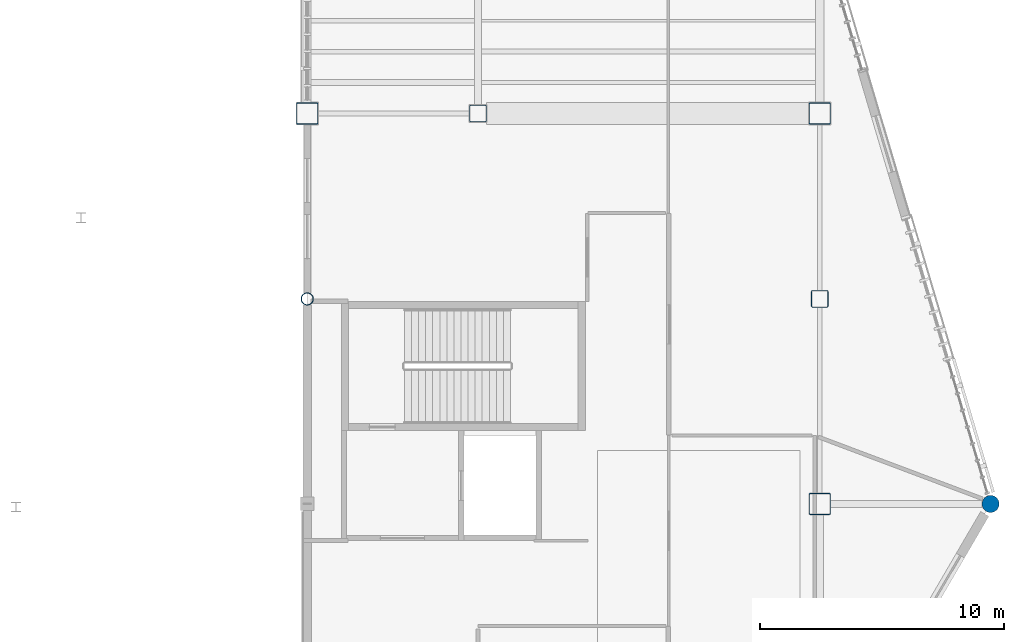
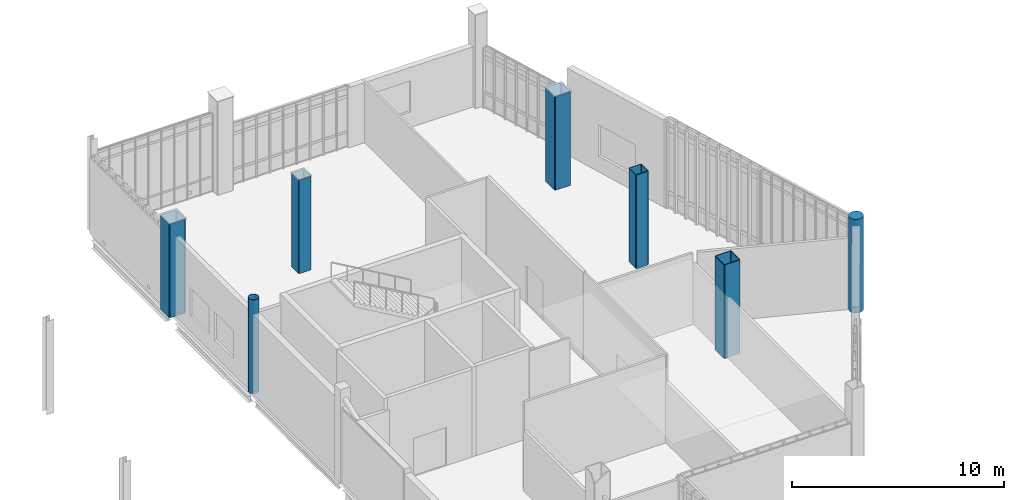
# One storey, part 12 of 127: 7 columns.
"""IFC4 building model written with IfcOpenShell, lengths in metres."""

from ifc_helpers import new_model, si_unit, direction, frame, origin, origin_2d, place, context, subcontext, project, spatial, hollow_rectangle, circle, hollow_circle, extrude, material, material_profile, profile_set, type_object, element, save


model = new_model("IFC4")

# Units and contexts
model_context = context("Model", 3, precision=1e-05, world=origin(), true_north=direction((0.0, 1.0)))
body_context = subcontext(model_context, "Body", "Model", "MODEL_VIEW")
ifc_project = project(units=[si_unit("LENGTHUNIT", "METRE"), si_unit("AREAUNIT", "SQUARE_METRE"), si_unit("VOLUMEUNIT", "CUBIC_METRE"), si_unit("PLANEANGLEUNIT", "RADIAN"), si_unit("MASSUNIT", "GRAM", prefix="KILO")], contexts=[model_context])

# Site, building, storey
site_placement = place(None, origin())
site = spatial("IfcSite", under=ifc_project, at=site_placement, CompositionType="ELEMENT")
building_placement = place(site_placement, origin())
building = spatial("IfcBuilding", under=site, at=building_placement, Name="Larkvane Passage Sports Hall", CompositionType="ELEMENT")
storey_placement = place(building_placement, frame((0.0, 0.0, 5.39990234375)))
storey = spatial("IfcBuildingStorey", under=building, at=storey_placement, Name="L01", CompositionType="ELEMENT", Elevation=5.39990234375)

# Columns
ifc_material_1 = material(Name="Concrete C40/50", Category="concrete")
ifc_material_profile_1 = material_profile(ifc_material_1, circle(Radius=0.35009765625, at=origin_2d()), Name="RC-CIR-700")
ifc_profile_set_1 = profile_set([ifc_material_profile_1], Name="Concrete C40/50")
column_type_1 = type_object("IfcColumnType", Name="COL-CIR-700", PredefinedType="COLUMN", material=ifc_profile_set_1)
column_1_placement = place(storey_placement, frame((152.60009765625, 75.60009765625, 0.0), z_axis=(0.0, 0.0, 1.0), x_axis=(1.0, 0.0, 0.0)))
element("IfcColumn", 1, at=column_1_placement, inside=storey, type_object=column_type_1, Name="Column 20/J L01", PredefinedType="COLUMN", context=body_context, shape_type="SweptSolid", body=[
    extrude(circle(Radius=0.35009765625, at=origin_2d()), origin(), (0.0, 0.0, 1.0), 5.400146484375),
])
ifc_material_2 = material(Name="Steel S460N", Category="steel")
ifc_material_profile_2 = material_profile(ifc_material_2, hollow_rectangle(XDim=0.699951171875, YDim=0.699951171875, WallThickness=0.028076171875, InnerFilletRadius=0.028076171875, OuterFilletRadius=0.055908203125, at=origin_2d()), Name="BOX-700x700x28")
ifc_profile_set_2 = profile_set([ifc_material_profile_2], Name="Steel S460N")
column_type_2 = type_object("IfcColumnType", Name="COL-STL-BOX700", PredefinedType="COLUMN", material=ifc_profile_set_2)
for number, where, z_axis, x_axis, name in (
    (2, (131.60009765625, 91.60009765625, 0.0), (0.0, 0.0, 1.0), (1.0, 0.0, 0.0), "Column 18/L L01"),
    (3, (145.60009765625, 84.0, 0.0), (0.0, 0.0, 1.0), (1.0, 0.0, 0.0), "Column 19/K L01"),
):
    element("IfcColumn", number, at=place(storey_placement, frame(where, z_axis=z_axis, x_axis=x_axis)), inside=storey, type_object=column_type_2, Name=name, PredefinedType="COLUMN", context=body_context, shape_type="SweptSolid", body=[
        extrude(hollow_rectangle(XDim=0.699951171875, YDim=0.699951171875, WallThickness=0.028076171875, InnerFilletRadius=0.028076171875, OuterFilletRadius=0.055908203125, at=origin_2d()), origin(), (0.0, 0.0, 1.0), 5.400146484375),
    ])
ifc_material_profile_3 = material_profile(ifc_material_2, hollow_rectangle(XDim=0.89990234375, YDim=0.89990234375, WallThickness=0.035888671875, InnerFilletRadius=0.035888671875, OuterFilletRadius=0.072021484375, at=origin_2d()), Name="BOX-900x900x36")
ifc_profile_set_3 = profile_set([ifc_material_profile_3], Name="Steel S460N")
column_type_3 = type_object("IfcColumnType", Name="COL-STL-BOX900", PredefinedType="COLUMN", material=ifc_profile_set_3)
for number, where, z_axis, x_axis, name in (
    (4, (124.60009765625, 91.60009765625, 0.0), (0.0, 0.0, 1.0), (1.0, 0.0, 0.0), "Column 17/L L01"),
    (5, (145.60009765625, 75.60009765625, 0.0), (0.0, 0.0, 1.0), (1.0, 0.0, 0.0), "Column 19/J L01"),
    (6, (145.60009765625, 91.60009765625, 0.0), (0.0, 0.0, 1.0), (1.0, 0.0, 0.0), "Column 19/L L01"),
):
    element("IfcColumn", number, at=place(storey_placement, frame(where, z_axis=z_axis, x_axis=x_axis)), inside=storey, type_object=column_type_3, Name=name, PredefinedType="COLUMN", context=body_context, shape_type="SweptSolid", body=[
        extrude(hollow_rectangle(XDim=0.89990234375, YDim=0.89990234375, WallThickness=0.035888671875, InnerFilletRadius=0.035888671875, OuterFilletRadius=0.072021484375, at=origin_2d()), origin(), (0.0, 0.0, 1.0), 5.400146484375),
    ])
ifc_material_profile_4 = material_profile(ifc_material_2, hollow_circle(Radius=0.25390625, WallThickness=0.01904296875, at=origin_2d()), Name="CHS-508.0x19.0")
ifc_profile_set_4 = profile_set([ifc_material_profile_4], Name="Steel S460N")
column_type_4 = type_object("IfcColumnType", Name="COL-STL-CHS508", PredefinedType="COLUMN", material=ifc_profile_set_4)
column_2_placement = place(storey_placement, frame((124.60009765625, 84.0, 0.0), z_axis=(0.0, 0.0, 1.0), x_axis=(1.0, 0.0, 0.0)))
element("IfcColumn", 7, at=column_2_placement, inside=storey, type_object=column_type_4, Name="Column 17/K L01", PredefinedType="COLUMN", context=body_context, shape_type="SweptSolid", body=[
    extrude(hollow_circle(Radius=0.25390625, WallThickness=0.01904296875, at=origin_2d()), origin(), (0.0, 0.0, 1.0), 5.400146484375),
])

save(model, "model.ifc")
